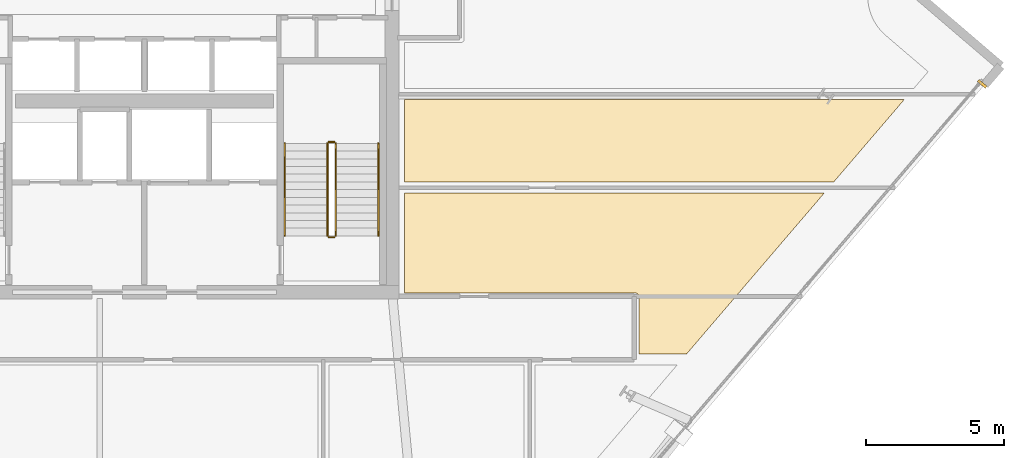
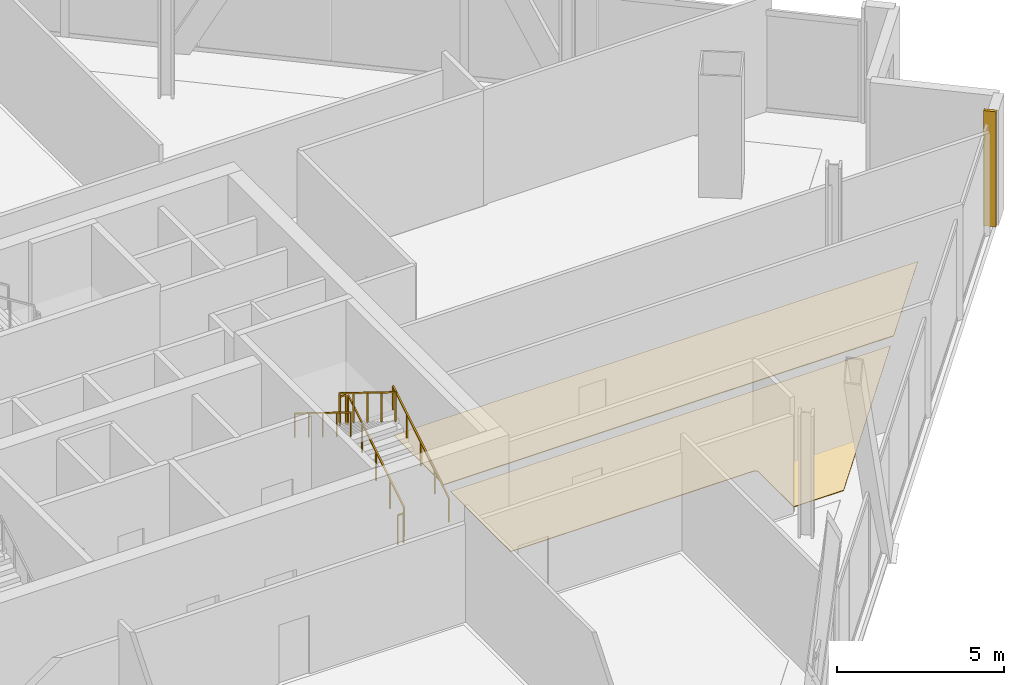
# One storey, part 24 of 26: 6 railings, 3 coverings.
"""IFC4 building model written with IfcOpenShell, lengths in metres."""

from ifc_helpers import new_model, si_unit, direction, frame, origin, origin_2d, place, context, subcontext, project, spatial, polyline, rectangle, outline, extrude, source, transform, mapped, material, layer, layer_set, type_object, element, save


model = new_model("IFC4")

# Units and contexts
model_context = context("Model", 3, precision=1e-05, world=origin(), true_north=direction((0.0, 1.0)))
body_context = subcontext(model_context, "Body", "Model", "MODEL_VIEW")
ifc_project = project(units=[si_unit("LENGTHUNIT", "METRE"), si_unit("AREAUNIT", "SQUARE_METRE"), si_unit("VOLUMEUNIT", "CUBIC_METRE"), si_unit("PLANEANGLEUNIT", "RADIAN"), si_unit("MASSUNIT", "GRAM", prefix="KILO")], contexts=[model_context])

# Site, building, storey
site_placement = place(None, origin())
site = spatial("IfcSite", under=ifc_project, at=site_placement, CompositionType="ELEMENT")
building_placement = place(site_placement, origin())
building = spatial("IfcBuilding", under=site, at=building_placement, Name="Haldenkirk Collegiate Tower", CompositionType="ELEMENT")
storey_placement = place(building_placement, frame((0.0, 0.0, 193.949951171875)))
storey = spatial("IfcBuildingStorey", under=building, at=storey_placement, Name="L48", CompositionType="ELEMENT", Elevation=193.949951171875)

# Coverings
ifc_material_1 = material(Name="Polished collegiate terrazzo", Category="concrete")
ifc_layer_1 = layer(ifc_material_1, 0.02490234375)
ifc_layer_set_1 = layer_set([ifc_layer_1], Name="Polished collegiate terrazzo")
covering_type_1 = type_object("IfcCoveringType", Name="COV-FLOOR-TERRAZZO", PredefinedType="FLOORING", material=ifc_layer_set_1)
covering_1_placement = place(storey_placement, origin())
element("IfcCovering", 1, at=covering_1_placement, inside=storey, type_object=covering_type_1, Name="L48 academic room finish 12", PredefinedType="FLOORING", context=body_context, shape_type="SweptSolid", body=[
    extrude(outline(polyline([(61.044189453125, 22.0), (45.449951171875, 22.0), (45.449951171875, 25.0), (63.611083984375, 25.0), (61.044189453125, 22.0)])), origin(), (0.0, 0.0, 1.0), 0.025146484375),
])
ifc_material_2 = material(Name="Engineered collegiate oak acoustic flooring", Category="wood")
ifc_layer_2 = layer(ifc_material_2, 0.02197265625)
ifc_layer_set_2 = layer_set([ifc_layer_2], Name="Engineered collegiate oak acoustic flooring")
covering_type_2 = type_object("IfcCoveringType", Name="COV-FLOOR-TIMBER", PredefinedType="FLOORING", material=ifc_layer_set_2)
covering_2_placement = place(storey_placement, origin())
element("IfcCovering", 2, at=covering_2_placement, inside=storey, type_object=covering_type_2, Name="L48 academic room finish 11", PredefinedType="FLOORING", context=body_context, shape_type="SweptSolid", body=[
    extrude(outline(polyline([(55.69677734375, 15.75), (53.969970703125, 15.75), (53.969970703125, 17.85009765625), (53.969482421875, 17.86181640625), (53.9677734375, 17.873291015625), (53.96484375, 17.884765625), (53.9609375, 17.89599609375), (53.955810546875, 17.906494140625), (53.94970703125, 17.916748046875), (53.94287109375, 17.926025390625), (53.934814453125, 17.934814453125), (53.926025390625, 17.94287109375), (53.916748046875, 17.94970703125), (53.906494140625, 17.955810546875), (53.89599609375, 17.9609375), (53.884765625, 17.96484375), (53.873291015625, 17.9677734375), (53.86181640625, 17.969482421875), (53.85009765625, 17.969970703125), (45.449951171875, 17.969970703125), (45.449951171875, 21.60009765625), (60.701904296875, 21.60009765625), (55.69677734375, 15.75)])), origin(), (0.0, 0.0, 1.0), 0.02197265625),
])

# Railings
ifc_material_3 = material(Name="Painted architectural tubular steel", Category="steel")
railing_type_1 = type_object("IfcRailingType", Name="RLG-STAIR-GUARD-1100", PredefinedType="BALUSTRADE", material=ifc_material_3)
railing_1_placement = place(storey_placement, frame((42.949951171875, 20.050048828125, 0.173095703125)))
element("IfcRailing", 3, at=railing_1_placement, inside=storey, type_object=railing_type_1, Name="L48 ST-2 stair guard 1", PredefinedType="BALUSTRADE", context=body_context, shape_type="SweptSolid", body=[
    extrude(rectangle(XDim=0.048095703125, YDim=0.048095703125, at=origin_2d()), frame((0.0, 0.0, 1.076171875), z_axis=(0.0, 0.850606129759, 0.525803396734), x_axis=(-1.0, 0.0, 0.0)), (0.0, 0.0, 1.0), 3.949951171875),
    extrude(rectangle(XDim=0.0419921875, YDim=0.0419921875, at=origin_2d()), origin(), (0.0, 0.0, 1.0), 1.052001953125),
    extrude(rectangle(XDim=0.0419921875, YDim=0.0419921875, at=origin_2d()), frame((0.0, 0.83984375, 0.519287109375)), (0.0, 0.0, 1.0), 1.052001953125),
    extrude(rectangle(XDim=0.0419921875, YDim=0.0419921875, at=origin_2d()), frame((0.0, 1.679931640625, 1.03857421875)), (0.0, 0.0, 1.0), 1.052001953125),
    extrude(rectangle(XDim=0.0419921875, YDim=0.0419921875, at=origin_2d()), frame((0.0, 2.52001953125, 1.5576171875)), (0.0, 0.0, 1.0), 1.052001953125),
    extrude(rectangle(XDim=0.0419921875, YDim=0.0419921875, at=origin_2d()), frame((0.0, 3.35986328125, 2.076904296875)), (0.0, 0.0, 1.0), 1.052001953125),
])
railing_2_placement = place(storey_placement, frame((42.89990234375, 23.4599609375, 2.25)))
element("IfcRailing", 4, at=railing_2_placement, inside=storey, type_object=railing_type_1, Name="L48 ST-2 stair guard 2", PredefinedType="BALUSTRADE", context=body_context, shape_type="SweptSolid", body=[
    extrude(rectangle(XDim=0.048095703125, YDim=0.048095703125, at=origin_2d()), frame((0.0, 0.0, 1.076171875), z_axis=(-1.0, 0.0, 0.0), x_axis=(0.0, -1.0, 0.0)), (0.0, 0.0, 1.0), 0.199951171875),
    extrude(rectangle(XDim=0.0419921875, YDim=0.0419921875, at=origin_2d()), origin(), (0.0, 0.0, 1.0), 1.052001953125),
    extrude(rectangle(XDim=0.0419921875, YDim=0.0419921875, at=origin_2d()), frame((-0.199951171875, 0.0, 0.0)), (0.0, 0.0, 1.0), 1.052001953125),
])
railing_3_placement = place(storey_placement, frame((42.64990234375, 23.409912109375, 2.423095703125)))
element("IfcRailing", 5, at=railing_3_placement, inside=storey, type_object=railing_type_1, Name="L48 ST-2 stair guard 3", PredefinedType="BALUSTRADE", context=body_context, shape_type="SweptSolid", body=[
    extrude(rectangle(XDim=0.048095703125, YDim=0.048095703125, at=origin_2d()), frame((0.0, 0.0, 1.076171875), z_axis=(0.0, -0.850606129759, 0.525803396734), x_axis=(1.0, 0.0, 0.0)), (0.0, 0.0, 1.0), 3.949951171875),
    extrude(rectangle(XDim=0.0419921875, YDim=0.0419921875, at=origin_2d()), origin(), (0.0, 0.0, 1.0), 1.052001953125),
    extrude(rectangle(XDim=0.0419921875, YDim=0.0419921875, at=origin_2d()), frame((0.0, -0.83984375, 0.519287109375)), (0.0, 0.0, 1.0), 1.052001953125),
    extrude(rectangle(XDim=0.0419921875, YDim=0.0419921875, at=origin_2d()), frame((0.0, -1.679931640625, 1.03857421875)), (0.0, 0.0, 1.0), 1.052001953125),
    extrude(rectangle(XDim=0.0419921875, YDim=0.0419921875, at=origin_2d()), frame((0.0, -2.52001953125, 1.5576171875)), (0.0, 0.0, 1.0), 1.052001953125),
    extrude(rectangle(XDim=0.0419921875, YDim=0.0419921875, at=origin_2d()), frame((0.0, -3.35986328125, 2.076904296875)), (0.0, 0.0, 1.0), 1.052001953125),
])
railing_4_placement = place(storey_placement, frame((42.89990234375, 20.0, 0.0)))
element("IfcRailing", 6, at=railing_4_placement, inside=storey, type_object=railing_type_1, Name="L48 ST-2 stair guard 4", PredefinedType="BALUSTRADE", context=body_context, shape_type="SweptSolid", body=[
    extrude(rectangle(XDim=0.048095703125, YDim=0.048095703125, at=origin_2d()), frame((0.0, 0.0, 1.076171875), z_axis=(-1.0, 0.0, 0.0), x_axis=(0.0, -1.0, 0.0)), (0.0, 0.0, 1.0), 0.199951171875),
    extrude(rectangle(XDim=0.0419921875, YDim=0.0419921875, at=origin_2d()), origin(), (0.0, 0.0, 1.0), 1.052001953125),
    extrude(rectangle(XDim=0.0419921875, YDim=0.0419921875, at=origin_2d()), frame((-0.199951171875, 0.0, 0.0)), (0.0, 0.0, 1.0), 1.052001953125),
])
railing_type_2 = type_object("IfcRailingType", Name="RLG-STAIR-HANDRAIL-900", PredefinedType="HANDRAIL", material=ifc_material_3)
railing_5_placement = place(storey_placement, frame((44.5, 20.050048828125, 0.173095703125)))
element("IfcRailing", 7, at=railing_5_placement, inside=storey, type_object=railing_type_2, Name="L48 ST-2 stair handrail 1", PredefinedType="HANDRAIL", context=body_context, shape_type="SweptSolid", body=[
    extrude(rectangle(XDim=0.048095703125, YDim=0.048095703125, at=origin_2d()), frame((0.0, 0.0, 0.8759765625), z_axis=(0.0, 0.850606129759, 0.525803396734), x_axis=(-1.0, 0.0, 0.0)), (0.0, 0.0, 1.0), 3.949951171875),
    extrude(rectangle(XDim=0.0419921875, YDim=0.0419921875, at=origin_2d()), origin(), (0.0, 0.0, 1.0), 0.851806640625),
    extrude(rectangle(XDim=0.0419921875, YDim=0.0419921875, at=origin_2d()), frame((0.0, 0.83984375, 0.519287109375)), (0.0, 0.0, 1.0), 0.851806640625),
    extrude(rectangle(XDim=0.0419921875, YDim=0.0419921875, at=origin_2d()), frame((0.0, 1.679931640625, 1.03857421875)), (0.0, 0.0, 1.0), 0.851806640625),
    extrude(rectangle(XDim=0.0419921875, YDim=0.0419921875, at=origin_2d()), frame((0.0, 2.52001953125, 1.5576171875)), (0.0, 0.0, 1.0), 0.851806640625),
    extrude(rectangle(XDim=0.0419921875, YDim=0.0419921875, at=origin_2d()), frame((0.0, 3.35986328125, 2.076904296875)), (0.0, 0.0, 1.0), 0.851806640625),
])
railing_6_placement = place(storey_placement, frame((41.10009765625, 23.409912109375, 2.423095703125)))
element("IfcRailing", 8, at=railing_6_placement, inside=storey, type_object=railing_type_2, Name="L48 ST-2 stair handrail 2", PredefinedType="HANDRAIL", context=body_context, shape_type="SweptSolid", body=[
    extrude(rectangle(XDim=0.048095703125, YDim=0.048095703125, at=origin_2d()), frame((0.0, 0.0, 0.8759765625), z_axis=(0.0, -0.850606129759, 0.525803396734), x_axis=(1.0, 0.0, 0.0)), (0.0, 0.0, 1.0), 3.949951171875),
    extrude(rectangle(XDim=0.0419921875, YDim=0.0419921875, at=origin_2d()), origin(), (0.0, 0.0, 1.0), 0.851806640625),
    extrude(rectangle(XDim=0.0419921875, YDim=0.0419921875, at=origin_2d()), frame((0.0, -0.83984375, 0.519287109375)), (0.0, 0.0, 1.0), 0.851806640625),
    extrude(rectangle(XDim=0.0419921875, YDim=0.0419921875, at=origin_2d()), frame((0.0, -1.679931640625, 1.03857421875)), (0.0, 0.0, 1.0), 0.851806640625),
    extrude(rectangle(XDim=0.0419921875, YDim=0.0419921875, at=origin_2d()), frame((0.0, -2.52001953125, 1.5576171875)), (0.0, 0.0, 1.0), 0.851806640625),
    extrude(rectangle(XDim=0.0419921875, YDim=0.0419921875, at=origin_2d()), frame((0.0, -3.35986328125, 2.076904296875)), (0.0, 0.0, 1.0), 0.851806640625),
])

# Covering
ifc_material_4 = material(Name="Anodised architectural bronze aluminium", Category="aluminium")
ifc_layer_3 = layer(ifc_material_4, 0.06005859375)
ifc_layer_set_3 = layer_set([ifc_layer_3], Name="Anodised architectural bronze aluminium")
covering_type_3 = type_object("IfcCoveringType", Name="COV-CLAD-BRONZE-60", PredefinedType="CLADDING", material=ifc_layer_set_3)
shared_shape = source(origin(), body_context, "Body", "SweptSolid", [
    extrude(rectangle(XDim=0.10009765625, YDim=0.3798828125, at=origin_2d()), origin(), (0.0, 0.0, 1.0), 4.219970703125),
])
covering_3_placement = place(storey_placement, frame((66.445556640625, 25.574951171875, 0.0), z_axis=(0.0, 0.0, 1.0), x_axis=(-0.650111380342, -0.759838925793, 0.0)))
element("IfcCovering", 9, at=covering_3_placement, inside=storey, type_object=covering_type_3, Name="L48 recessed curtain-wall bronze jamb closure SJL", PredefinedType="CLADDING", context=body_context, shape_type="MappedRepresentation", body=[
    mapped(shared_shape, transform((0.0, 0.0, 0.0), x_axis=(1.0, 0.0, 0.0), y_axis=(0.0, 1.0, 0.0), z_axis=(0.0, 0.0, 1.0), scale=1.0)),
])

save(model, "model.ifc")
